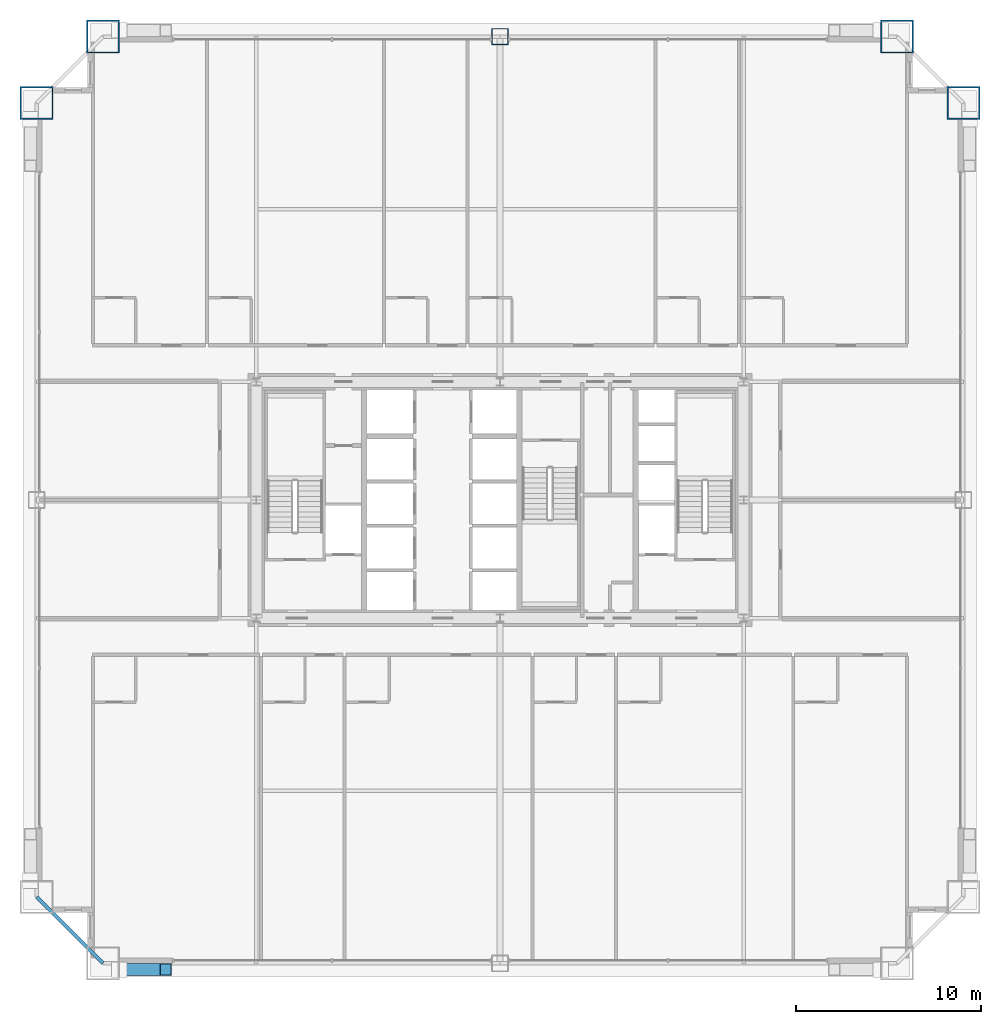
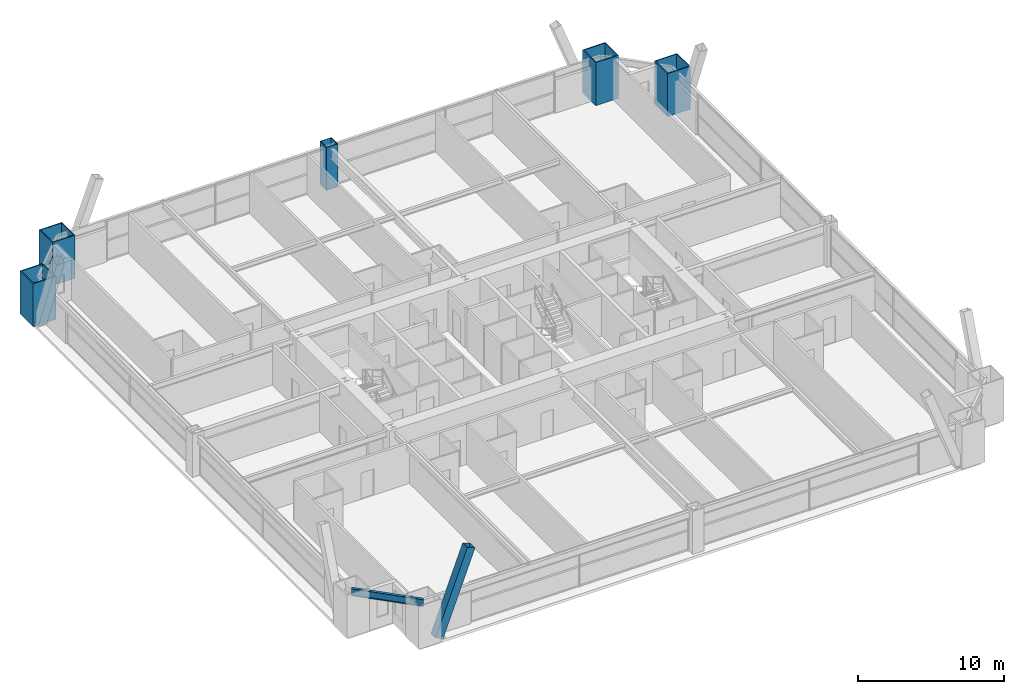
# One storey, part 2 of 43: 5 columns, 1 beam, 1 member.
"""IFC4 building model written with IfcOpenShell, lengths in metres."""

from ifc_helpers import new_model, si_unit, direction, frame, origin, origin_2d, place, context, subcontext, project, spatial, hollow_rectangle, i_section, extrude, source, transform, mapped, material, material_profile, profile_set, type_object, element, save


model = new_model("IFC4")

# Units and contexts
model_context = context("Model", 3, precision=1e-05, world=origin(), true_north=direction((0.0, 1.0)))
body_context = subcontext(model_context, "Body", "Model", "MODEL_VIEW")
ifc_project = project(units=[si_unit("LENGTHUNIT", "METRE"), si_unit("AREAUNIT", "SQUARE_METRE"), si_unit("VOLUMEUNIT", "CUBIC_METRE"), si_unit("PLANEANGLEUNIT", "RADIAN"), si_unit("MASSUNIT", "GRAM", prefix="KILO"), si_unit("THERMODYNAMICTEMPERATUREUNIT", "KELVIN"), si_unit("POWERUNIT", "WATT")], contexts=[model_context])

# Site, building, storey
site_placement = place(None, origin())
site = spatial("IfcSite", under=ifc_project, at=site_placement, CompositionType="ELEMENT")
building_placement = place(site_placement, origin())
building = spatial("IfcBuilding", under=site, at=building_placement, Name="Yuzanri Waterfront Tower", CompositionType="ELEMENT")
storey_placement = place(building_placement, frame((0.0, 0.0, 67.60009765625)))
storey = spatial("IfcBuildingStorey", under=building, at=storey_placement, Name="L17", CompositionType="ELEMENT", Elevation=67.60009765625)

# Columns
ifc_material_1 = material(Name="Steel Q420GJC", Category="steel")
ifc_material_profile_1 = material_profile(ifc_material_1, hollow_rectangle(XDim=1.800048828125, YDim=1.800048828125, WallThickness=0.080078125, at=origin_2d()), Name="RHS 1800x1800x80")
ifc_profile_set_1 = profile_set([ifc_material_profile_1], Name="Steel Q420GJC")
column_type_1 = type_object("IfcColumnType", Name="Mega Column Q420GJC RHS 1800x1800x80", PredefinedType="COLUMN", material=ifc_profile_set_1)
shared_shape_1 = source(origin(), body_context, "Body", "SweptSolid", [
    extrude(hollow_rectangle(XDim=1.800048828125, YDim=1.800048828125, WallThickness=0.080078125, at=origin_2d()), origin(), (0.0, 0.0, 1.0), 3.599853515625),
])
for number, where, z_axis, x_axis, name in (
    (1, (15.5, 50.89990234375, 0.0), (0.0, 0.0, 1.0), (1.0, 0.0, 0.0), "L17 Perimeter Mega Column N1"),
    (2, (58.5, 50.89990234375, 0.0), (0.0, 0.0, 1.0), (1.0, 0.0, 0.0), "L17 Perimeter Mega Column N3"),
    (3, (11.89990234375, 47.300048828125, 0.0), (0.0, 0.0, 1.0), (1.0, 0.0, 0.0), "L17 Perimeter Mega Column W3"),
    (4, (62.10009765625, 47.300048828125, 0.0), (0.0, 0.0, 1.0), (1.0, 0.0, 0.0), "L17 Perimeter Mega Column E3"),
):
    element("IfcColumn", number, at=place(storey_placement, frame(where, z_axis=z_axis, x_axis=x_axis)), inside=storey, type_object=column_type_1, Name=name, PredefinedType="COLUMN", context=body_context, shape_type="MappedRepresentation", body=[
        mapped(shared_shape_1, transform((0.0, 0.0, 0.0), scale=1.0)),
    ])
ifc_material_2 = material(Name="Steel Q390GJC", Category="steel")
ifc_material_profile_2 = material_profile(ifc_material_2, hollow_rectangle(XDim=0.89990234375, YDim=0.89990234375, WallThickness=0.0419921875, at=origin_2d()), Name="RHS 900x900x42")
ifc_profile_set_2 = profile_set([ifc_material_profile_2], Name="Steel Q390GJC")
column_type_2 = type_object("IfcColumnType", Name="Frame Column Q390GJC RHS 900x900x42", PredefinedType="COLUMN", material=ifc_profile_set_2)
shared_shape_2 = source(origin(), body_context, "Body", "SweptSolid", [
    extrude(hollow_rectangle(XDim=0.89990234375, YDim=0.89990234375, WallThickness=0.0419921875, at=origin_2d()), origin(), (0.0, 0.0, 1.0), 3.599853515625),
])
column_placement = place(storey_placement, frame((37.0, 50.89990234375, 0.0), z_axis=(0.0, 0.0, 1.0), x_axis=(1.0, 0.0, 0.0)))
element("IfcColumn", 5, at=column_placement, inside=storey, type_object=column_type_2, Name="L17 Perimeter Frame Column N2", PredefinedType="COLUMN", context=body_context, shape_type="MappedRepresentation", body=[
    mapped(shared_shape_2, transform((0.0, 0.0, 0.0), scale=1.0)),
])

# Beam
ifc_material_3 = material(Name="Steel Q355B", Category="steel")
ifc_material_profile_3 = material_profile(ifc_material_3, i_section(OverallWidth=0.199951171875, OverallDepth=0.60009765625, WebThickness=0.010986328125, FlangeThickness=0.01708984375, at=origin_2d()), Name="HN 600x200x11x17")
ifc_profile_set_3 = profile_set([ifc_material_profile_3], Name="Steel Q355B")
beam_type = type_object("IfcBeamType", Name="Perimeter Spandrel Q355B HN 600x200", PredefinedType="SPANDREL", material=ifc_profile_set_3)
shared_shape_3 = source(origin(), body_context, "Body", "SweptSolid", [
    extrude(i_section(OverallWidth=0.199951171875, OverallDepth=0.60009765625, WebThickness=0.010986328125, FlangeThickness=0.01708984375, at=origin_2d()), origin(), (0.0, 0.0, 1.0), 5.09130859375),
])
beam_placement = place(storey_placement, frame((11.89990234375, 4.300048828125, 3.079833984375), z_axis=(0.707106781187, -0.707106781187, 0.0), x_axis=(0.707106781187, 0.707106781187, 0.0)))
element("IfcBeam", 6, at=beam_placement, inside=storey, type_object=beam_type, Name="L17 Perimeter Spandrel W1-S1", PredefinedType="SPANDREL", context=body_context, shape_type="MappedRepresentation", body=[
    mapped(shared_shape_3, transform((0.0, 0.0, 0.0), scale=1.0)),
])

# Member
ifc_material_4 = material(Name="Steel Q420GJC", Category="steel")
ifc_material_profile_4 = material_profile(ifc_material_4, hollow_rectangle(XDim=0.64990234375, YDim=0.64990234375, WallThickness=0.028076171875, at=origin_2d()), Name="RHS 650x650x28")
ifc_profile_set_4 = profile_set([ifc_material_profile_4], Name="Steel Q420GJC")
member_type = type_object("IfcMemberType", Name="Mega Brace Lower Q420GJC RHS 650x650x28", PredefinedType="BRACE", material=ifc_profile_set_4)
shared_shape_4 = source(origin(), body_context, "Body", "SweptSolid", [
    extrude(hollow_rectangle(XDim=0.64990234375, YDim=0.64990234375, WallThickness=0.028076171875, at=origin_2d()), origin(), (0.0, 0.0, 1.0), 7.158203125),
])
member_placement = place(storey_placement, frame((16.3798828125, 0.360107421875, 0.179931640625), z_axis=(0.352046480343, 0.0, 0.935982518896), x_axis=(0.0, 1.0, 0.0)))
element("IfcMember", 7, at=member_placement, inside=storey, type_object=member_type, Name="L17-L18 Perimeter Mega-Brace S-L", PredefinedType="BRACE", context=body_context, shape_type="MappedRepresentation", body=[
    mapped(shared_shape_4, transform((0.0, 0.0, 0.0), scale=1.0)),
])

save(model, "model.ifc")
